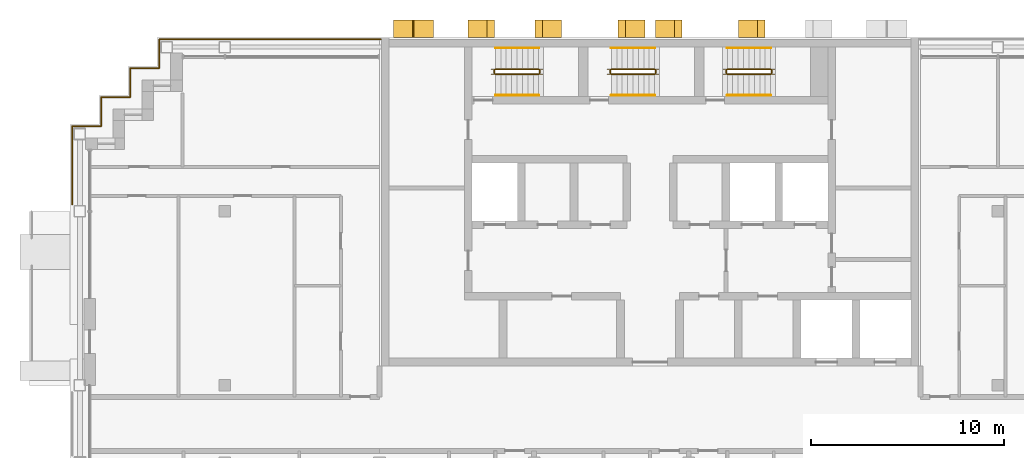
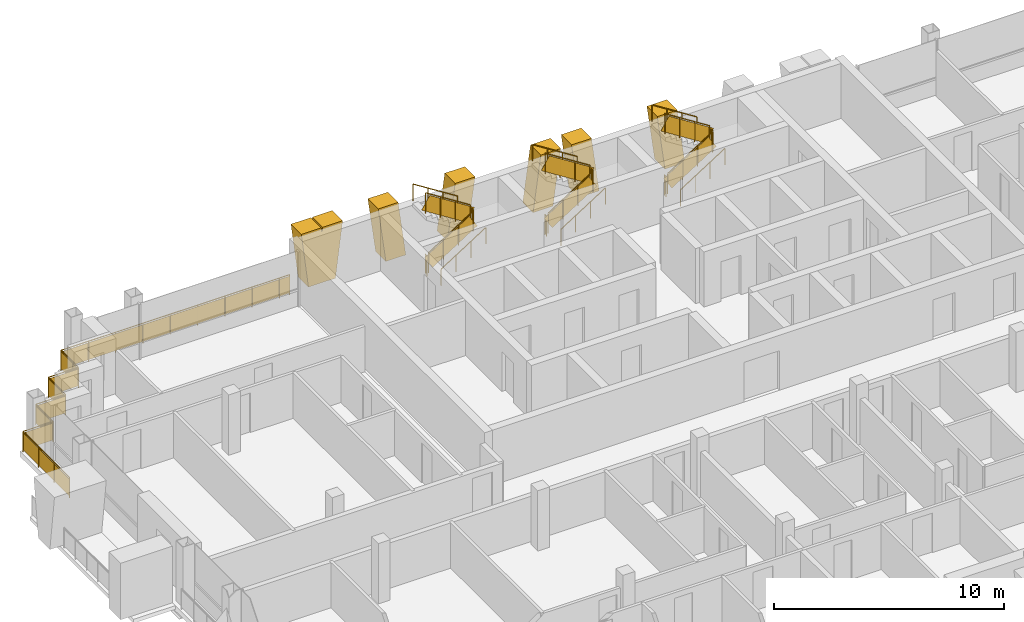
# One storey, part 15 of 16: 21 railings, 6 shading devices.
"""IFC4 building model written with IfcOpenShell, lengths in metres."""

from ifc_helpers import new_model, si_unit, direction, frame, origin, origin_2d, place, context, subcontext, project, spatial, polyline, rectangle, circle, outline, extrude, material, layer, layer_set, type_object, element, save


model = new_model("IFC4")

# Units and contexts
model_context = context("Model", 3, precision=1e-05, world=origin(), true_north=direction((0.0, 1.0)))
body_context = subcontext(model_context, "Body", "Model", "MODEL_VIEW")
ifc_project = project(units=[si_unit("LENGTHUNIT", "METRE"), si_unit("AREAUNIT", "SQUARE_METRE"), si_unit("VOLUMEUNIT", "CUBIC_METRE"), si_unit("PLANEANGLEUNIT", "RADIAN"), si_unit("MASSUNIT", "GRAM", prefix="KILO")], contexts=[model_context])

# Site, building, storey
site_placement = place(None, origin())
site = spatial("IfcSite", under=ifc_project, at=site_placement, CompositionType="ELEMENT")
building_placement = place(site_placement, origin())
building = spatial("IfcBuilding", under=site, at=building_placement, Name="Vidyagriha Tower", CompositionType="ELEMENT")
storey_placement = place(building_placement, frame((0.0, 0.0, 220.39990234375)))
storey = spatial("IfcBuildingStorey", under=building, at=storey_placement, Name="L57", CompositionType="ELEMENT", Elevation=220.39990234375)

# Shading devices
ifc_material_1 = material(Name="Precast concrete C40/50 with brick facing", Category="concrete")
ifc_layer_1 = layer(ifc_material_1, 1.0)
ifc_layer_set_1 = layer_set([ifc_layer_1], Name="Precast concrete C40/50 with brick facing")
shading_device_type_1 = type_object("IfcShadingDeviceType", Name="Brick-faced rear rib arm leaning 8 degrees", PredefinedType="USERDEFINED", material=ifc_layer_set_1)
for number, where, z_axis, x_axis, name in (
    (1, (5.95703125, 20.449951171875, 0.0), (0.0, 0.0, 1.0), (-1.0, 0.0, 0.0), "Rear rib arm L57 R08.2a"),
    (2, (1.656982421875, 20.449951171875, 0.0), (0.0, 0.0, 1.0), (-1.0, 0.0, 0.0), "Rear rib arm L57 R08.3a"),
):
    element("IfcShadingDevice", number, at=place(storey_placement, frame(where, z_axis=z_axis, x_axis=x_axis)), inside=storey, type_object=shading_device_type_1, Name=name, ObjectType="BLADE FIN", PredefinedType="USERDEFINED", context=body_context, shape_type="SweptSolid", body=[
        extrude(outline(polyline([(0.0, 0.0), (1.0, 0.0), (1.3857421875, 2.920166015625), (0.3857421875, 2.920166015625), (0.0, 0.0)])), frame((0.0, 0.449951171875, 0.0), z_axis=(0.0, -1.0, 0.0), x_axis=(1.0, 0.0, 0.0)), (0.0, 0.0, 1.0), 0.89990234375),
    ])
shading_device_1_placement = place(storey_placement, frame((-0.271484375, 20.449951171875, 0.0), z_axis=(0.0, 0.0, 1.0), x_axis=(-1.0, 0.0, 0.0)))
element("IfcShadingDevice", 3, at=shading_device_1_placement, inside=storey, type_object=shading_device_type_1, Name="Rear rib arm L57 R08.3b", ObjectType="BLADE FIN", PredefinedType="USERDEFINED", context=body_context, shape_type="SweptSolid", body=[
    extrude(outline(polyline([(0.3857421875, 0.0), (1.3857421875, 0.0), (1.0, 2.920166015625), (0.0, 2.920166015625), (0.3857421875, 0.0)])), frame((0.0, 0.449951171875, 0.0), z_axis=(0.0, -1.0, 0.0), x_axis=(1.0, 0.0, 0.0)), (0.0, 0.0, 1.0), 0.89990234375),
])
shading_device_2_placement = place(storey_placement, frame((-8.04296875, 20.449951171875, 0.0), z_axis=(0.0, 0.0, 1.0), x_axis=(-1.0, 0.0, 0.0)))
element("IfcShadingDevice", 4, at=shading_device_2_placement, inside=storey, type_object=shading_device_type_1, Name="Rear rib arm L57 R08.4a", ObjectType="BLADE FIN", PredefinedType="USERDEFINED", context=body_context, shape_type="SweptSolid", body=[
    extrude(outline(polyline([(0.0, 0.0), (1.0, 0.0), (1.3857421875, 2.920166015625), (0.3857421875, 2.920166015625), (0.0, 0.0)])), frame((0.0, 0.449951171875, 0.0), z_axis=(0.0, -1.0, 0.0), x_axis=(1.0, 0.0, 0.0)), (0.0, 0.0, 1.0), 0.89990234375),
])
shading_device_3_placement = place(storey_placement, frame((-4.5712890625, 20.449951171875, 0.0), z_axis=(0.0, 0.0, 1.0), x_axis=(-1.0, 0.0, 0.0)))
element("IfcShadingDevice", 5, at=shading_device_3_placement, inside=storey, type_object=shading_device_type_1, Name="Rear rib arm L57 R08.4b", ObjectType="BLADE FIN", PredefinedType="USERDEFINED", context=body_context, shape_type="SweptSolid", body=[
    extrude(outline(polyline([(0.3857421875, 0.0), (1.3857421875, 0.0), (1.0, 2.920166015625), (0.0, 2.920166015625), (0.3857421875, 0.0)])), frame((0.0, 0.449951171875, 0.0), z_axis=(0.0, -1.0, 0.0), x_axis=(1.0, 0.0, 0.0)), (0.0, 0.0, 1.0), 0.89990234375),
])
ifc_material_2 = material(Name="Precast concrete C40/50 with brick facing", Category="concrete")
ifc_layer_2 = layer(ifc_material_2, 1.0)
ifc_layer_set_2 = layer_set([ifc_layer_2], Name="Precast concrete C40/50 with brick facing")
shading_device_type_2 = type_object("IfcShadingDeviceType", Name="Brick-faced rear rib forking 8 degrees", PredefinedType="USERDEFINED", material=ifc_layer_set_2)
shading_device_4_placement = place(storey_placement, frame((-11.21435546875, 20.449951171875, 0.0), z_axis=(0.0, 0.0, 1.0), x_axis=(-1.0, 0.0, 0.0)))
element("IfcShadingDevice", 6, at=shading_device_4_placement, inside=storey, type_object=shading_device_type_2, Name="Rear rib fork L57 R08.5a", ObjectType="BLADE FIN", PredefinedType="USERDEFINED", context=body_context, shape_type="SweptSolid", body=[
    extrude(outline(polyline([(0.357177734375, 0.0), (1.71435546875, 0.0), (2.0712890625, 2.920166015625), (1.0712890625, 2.920166015625), (1.03564453125, 2.628173828125), (1.0, 2.920166015625), (0.0, 2.920166015625), (0.357177734375, 0.0)])), frame((0.0, 0.449951171875, 0.0), z_axis=(0.0, -1.0, 0.0), x_axis=(1.0, 0.0, 0.0)), (0.0, 0.0, 1.0), 0.89990234375),
])

# Railings
ifc_material_3 = material(Name="Steel ASTM A500 Grade C black painted", Category="steel")
railing_type_1 = type_object("IfcRailingType", Name="Gallery guard 1100", PredefinedType="GUARDRAIL", material=ifc_material_3)
railing_1_placement = place(storey_placement, frame((-29.89990234375, 11.360107421875, 0.0)))
element("IfcRailing", 7, at=railing_1_placement, inside=storey, type_object=railing_type_1, Name="Gallery guard L57 4", PredefinedType="GUARDRAIL", context=body_context, shape_type="SweptSolid", body=[
    extrude(circle(Radius=0.02490234375, at=origin_2d()), frame((0.0, 0.0, 1.0751953125), z_axis=(0.0, 1.0, 0.0), x_axis=(-1.0, 0.0, 0.0)), (0.0, 0.0, 1.0), 4.039794921875),
    extrude(circle(Radius=0.02490234375, at=origin_2d()), frame((0.0, 4.039794921875, 1.0751953125), z_axis=(1.0, 0.0, 0.0), x_axis=(0.0, 1.0, 0.0)), (0.0, 0.0, 1.0), 1.5),
    extrude(circle(Radius=0.02490234375, at=origin_2d()), frame((1.5, 4.039794921875, 1.0751953125), z_axis=(0.0, 1.0, 0.0), x_axis=(-1.0, 0.0, 0.0)), (0.0, 0.0, 1.0), 1.5),
    extrude(circle(Radius=0.02490234375, at=origin_2d()), frame((1.5, 5.539794921875, 1.0751953125), z_axis=(1.0, 0.0, 0.0), x_axis=(0.0, 1.0, 0.0)), (0.0, 0.0, 1.0), 1.5),
    extrude(circle(Radius=0.02490234375, at=origin_2d()), frame((3.0, 5.539794921875, 1.0751953125), z_axis=(0.0, 1.0, 0.0), x_axis=(-1.0, 0.0, 0.0)), (0.0, 0.0, 1.0), 1.5),
    extrude(circle(Radius=0.02490234375, at=origin_2d()), frame((3.0, 7.039794921875, 1.0751953125), z_axis=(1.0, 0.0, 0.0), x_axis=(0.0, 1.0, 0.0)), (0.0, 0.0, 1.0), 1.5),
    extrude(circle(Radius=0.02490234375, at=origin_2d()), frame((4.5, 7.039794921875, 1.0751953125), z_axis=(0.0, 1.0, 0.0), x_axis=(-1.0, 0.0, 0.0)), (0.0, 0.0, 1.0), 0.460205078125),
    extrude(circle(Radius=0.02001953125, at=origin_2d()), origin(), (0.0, 0.0, 1.0), 1.050048828125),
    extrude(circle(Radius=0.02001953125, at=origin_2d()), frame((0.0, 1.3466796875, 0.0)), (0.0, 0.0, 1.0), 1.050048828125),
    extrude(circle(Radius=0.02001953125, at=origin_2d()), frame((0.0, 2.693115234375, 0.0)), (0.0, 0.0, 1.0), 1.050048828125),
    extrude(circle(Radius=0.02001953125, at=origin_2d()), frame((0.0, 4.039794921875, 0.0)), (0.0, 0.0, 1.0), 1.050048828125),
    extrude(circle(Radius=0.02001953125, at=origin_2d()), frame((1.5, 4.039794921875, 0.0)), (0.0, 0.0, 1.0), 1.050048828125),
    extrude(circle(Radius=0.02001953125, at=origin_2d()), frame((1.5, 5.539794921875, 0.0)), (0.0, 0.0, 1.0), 1.050048828125),
    extrude(circle(Radius=0.02001953125, at=origin_2d()), frame((3.0, 5.539794921875, 0.0)), (0.0, 0.0, 1.0), 1.050048828125),
    extrude(circle(Radius=0.02001953125, at=origin_2d()), frame((3.0, 7.039794921875, 0.0)), (0.0, 0.0, 1.0), 1.050048828125),
    extrude(circle(Radius=0.02001953125, at=origin_2d()), frame((4.5, 7.039794921875, 0.0)), (0.0, 0.0, 1.0), 1.050048828125),
    extrude(circle(Radius=0.02001953125, at=origin_2d()), frame((4.5, 7.5, 0.0)), (0.0, 0.0, 1.0), 1.050048828125),
    extrude(rectangle(XDim=0.010009765625, YDim=0.900146484375, at=origin_2d()), frame((0.0, 0.0, 0.550048828125), z_axis=(0.0, 1.0, 0.0), x_axis=(-1.0, 0.0, 0.0)), (0.0, 0.0, 1.0), 4.039794921875),
    extrude(rectangle(XDim=0.010009765625, YDim=0.900146484375, at=origin_2d()), frame((0.0, 4.039794921875, 0.550048828125), z_axis=(1.0, 0.0, 0.0), x_axis=(0.0, 1.0, 0.0)), (0.0, 0.0, 1.0), 1.5),
    extrude(rectangle(XDim=0.010009765625, YDim=0.900146484375, at=origin_2d()), frame((1.5, 4.039794921875, 0.550048828125), z_axis=(0.0, 1.0, 0.0), x_axis=(-1.0, 0.0, 0.0)), (0.0, 0.0, 1.0), 1.5),
    extrude(rectangle(XDim=0.010009765625, YDim=0.900146484375, at=origin_2d()), frame((1.5, 5.539794921875, 0.550048828125), z_axis=(1.0, 0.0, 0.0), x_axis=(0.0, 1.0, 0.0)), (0.0, 0.0, 1.0), 1.5),
    extrude(rectangle(XDim=0.010009765625, YDim=0.900146484375, at=origin_2d()), frame((3.0, 5.539794921875, 0.550048828125), z_axis=(0.0, 1.0, 0.0), x_axis=(-1.0, 0.0, 0.0)), (0.0, 0.0, 1.0), 1.5),
    extrude(rectangle(XDim=0.010009765625, YDim=0.900146484375, at=origin_2d()), frame((3.0, 7.039794921875, 0.550048828125), z_axis=(1.0, 0.0, 0.0), x_axis=(0.0, 1.0, 0.0)), (0.0, 0.0, 1.0), 1.5),
    extrude(rectangle(XDim=0.010009765625, YDim=0.900146484375, at=origin_2d()), frame((4.5, 7.039794921875, 0.550048828125), z_axis=(0.0, 1.0, 0.0), x_axis=(-1.0, 0.0, 0.0)), (0.0, 0.0, 1.0), 0.460205078125),
])
railing_2_placement = place(storey_placement, frame((-25.39990234375, 18.860107421875, 0.0)))
element("IfcRailing", 8, at=railing_2_placement, inside=storey, type_object=railing_type_1, Name="Gallery guard L57 5", PredefinedType="GUARDRAIL", context=body_context, shape_type="SweptSolid", body=[
    extrude(circle(Radius=0.02490234375, at=origin_2d()), frame((0.0, 0.0, 1.0751953125), z_axis=(0.0, 1.0, 0.0), x_axis=(-1.0, 0.0, 0.0)), (0.0, 0.0, 1.0), 1.039794921875),
    extrude(circle(Radius=0.02490234375, at=origin_2d()), frame((0.0, 1.039794921875, 1.0751953125), z_axis=(1.0, 0.0, 0.0), x_axis=(0.0, 1.0, 0.0)), (0.0, 0.0, 1.0), 10.9599609375),
    extrude(circle(Radius=0.02001953125, at=origin_2d()), origin(), (0.0, 0.0, 1.0), 1.050048828125),
    extrude(circle(Radius=0.02001953125, at=origin_2d()), frame((0.0, 1.039794921875, 0.0)), (0.0, 0.0, 1.0), 1.050048828125),
    extrude(circle(Radius=0.02001953125, at=origin_2d()), frame((1.3701171875, 1.039794921875, 0.0)), (0.0, 0.0, 1.0), 1.050048828125),
    extrude(circle(Radius=0.02001953125, at=origin_2d()), frame((2.739990234375, 1.039794921875, 0.0)), (0.0, 0.0, 1.0), 1.050048828125),
    extrude(circle(Radius=0.02001953125, at=origin_2d()), frame((4.10986328125, 1.039794921875, 0.0)), (0.0, 0.0, 1.0), 1.050048828125),
    extrude(circle(Radius=0.02001953125, at=origin_2d()), frame((5.47998046875, 1.039794921875, 0.0)), (0.0, 0.0, 1.0), 1.050048828125),
    extrude(circle(Radius=0.02001953125, at=origin_2d()), frame((6.85009765625, 1.039794921875, 0.0)), (0.0, 0.0, 1.0), 1.050048828125),
    extrude(circle(Radius=0.02001953125, at=origin_2d()), frame((8.219970703125, 1.039794921875, 0.0)), (0.0, 0.0, 1.0), 1.050048828125),
    extrude(circle(Radius=0.02001953125, at=origin_2d()), frame((9.58984375, 1.039794921875, 0.0)), (0.0, 0.0, 1.0), 1.050048828125),
    extrude(circle(Radius=0.02001953125, at=origin_2d()), frame((10.9599609375, 1.039794921875, 0.0)), (0.0, 0.0, 1.0), 1.050048828125),
    extrude(rectangle(XDim=0.010009765625, YDim=0.900146484375, at=origin_2d()), frame((0.0, 0.0, 0.550048828125), z_axis=(0.0, 1.0, 0.0), x_axis=(-1.0, 0.0, 0.0)), (0.0, 0.0, 1.0), 1.039794921875),
    extrude(rectangle(XDim=0.010009765625, YDim=0.900146484375, at=origin_2d()), frame((0.0, 1.039794921875, 0.550048828125), z_axis=(1.0, 0.0, 0.0), x_axis=(0.0, 1.0, 0.0)), (0.0, 0.0, 1.0), 10.9599609375),
])
railing_3_placement = place(storey_placement, frame((-14.43994140625, 19.89990234375, 0.0)))
element("IfcRailing", 9, at=railing_3_placement, inside=storey, type_object=railing_type_1, Name="Gallery guard L57 6", PredefinedType="GUARDRAIL", context=body_context, shape_type="SweptSolid", body=[
    extrude(circle(Radius=0.02490234375, at=origin_2d()), frame((0.0, 0.0, 1.0751953125), z_axis=(1.0, 0.0, 0.0), x_axis=(0.0, 1.0, 0.0)), (0.0, 0.0, 1.0), 0.510009765625),
    extrude(circle(Radius=0.02001953125, at=origin_2d()), origin(), (0.0, 0.0, 1.0), 1.050048828125),
    extrude(circle(Radius=0.02001953125, at=origin_2d()), frame((0.510009765625, 0.0, 0.0)), (0.0, 0.0, 1.0), 1.050048828125),
    extrude(rectangle(XDim=0.010009765625, YDim=0.900146484375, at=origin_2d()), frame((0.0, 0.0, 0.550048828125), z_axis=(1.0, 0.0, 0.0), x_axis=(0.0, 1.0, 0.0)), (0.0, 0.0, 1.0), 0.510009765625),
])
ifc_material_4 = material(Name="Steel ASTM A500 Grade C", Category="steel")
railing_type_2 = type_object("IfcRailingType", Name="Stair guard 1100 mm, steel balustrade", PredefinedType="GUARDRAIL", material=ifc_material_4)
railing_4_placement = place(storey_placement, frame((-8.0, 18.10009765625, 0.177978515625)))
element("IfcRailing", 10, at=railing_4_placement, inside=storey, type_object=railing_type_2, Name="L57 ST1 stair guard 1", PredefinedType="GUARDRAIL", context=body_context, shape_type="SweptSolid", body=[
    extrude(circle(Radius=0.02392578125, at=origin_2d()), frame((0.0, 0.0, 1.076171875), z_axis=(0.8442293374, 0.0, 0.53598211339), x_axis=(0.0, 1.0, 0.0)), (0.0, 0.0, 1.0), 2.6533203125),
    extrude(circle(Radius=0.02099609375, at=origin_2d()), origin(), (0.0, 0.0, 1.0), 1.052001953125),
    extrude(circle(Radius=0.02099609375, at=origin_2d()), frame((0.74658203125, 0.0, 0.47412109375)), (0.0, 0.0, 1.0), 1.052001953125),
    extrude(circle(Radius=0.02099609375, at=origin_2d()), frame((1.493408203125, 0.0, 0.947998046875)), (0.0, 0.0, 1.0), 1.052001953125),
    extrude(circle(Radius=0.02099609375, at=origin_2d()), frame((2.239990234375, 0.0, 1.422119140625)), (0.0, 0.0, 1.0), 1.052001953125),
    extrude(rectangle(XDim=0.010009765625, YDim=0.761474609375, at=origin_2d()), frame((0.0, 0.0, 0.551025390625), z_axis=(0.8442293374, 0.0, 0.53598211339), x_axis=(0.0, 1.0, 0.0)), (0.0, 0.0, 1.0), 2.6533203125),
])
railing_5_placement = place(storey_placement, frame((-5.7099609375, 18.14990234375, 1.60009765625)))
element("IfcRailing", 11, at=railing_5_placement, inside=storey, type_object=railing_type_2, Name="L57 ST1 stair guard 2", PredefinedType="GUARDRAIL", context=body_context, shape_type="SweptSolid", body=[
    extrude(circle(Radius=0.02392578125, at=origin_2d()), frame((0.0, 0.0, 1.076171875), z_axis=(0.0, 1.0, 0.0), x_axis=(-1.0, 0.0, 0.0)), (0.0, 0.0, 1.0), 0.150146484375),
    extrude(circle(Radius=0.02099609375, at=origin_2d()), origin(), (0.0, 0.0, 1.0), 1.052001953125),
    extrude(circle(Radius=0.02099609375, at=origin_2d()), frame((0.0, 0.150146484375, 0.0)), (0.0, 0.0, 1.0), 1.052001953125),
    extrude(rectangle(XDim=0.010009765625, YDim=0.902099609375, at=origin_2d()), frame((0.0, 0.0, 0.551025390625), z_axis=(0.0, 1.0, 0.0), x_axis=(-1.0, 0.0, 0.0)), (0.0, 0.0, 1.0), 0.150146484375),
])
railing_6_placement = place(storey_placement, frame((-5.760009765625, 18.35009765625, 1.77783203125)))
element("IfcRailing", 12, at=railing_6_placement, inside=storey, type_object=railing_type_2, Name="L57 ST1 stair guard 3", PredefinedType="GUARDRAIL", context=body_context, shape_type="SweptSolid", body=[
    extrude(circle(Radius=0.02392578125, at=origin_2d()), frame((0.0, 0.0, 1.076171875), z_axis=(-0.84418770128, 0.0, 0.536047689118), x_axis=(0.0, -1.0, 0.0)), (0.0, 0.0, 1.0), 2.6533203125),
    extrude(circle(Radius=0.02099609375, at=origin_2d()), origin(), (0.0, 0.0, 1.0), 1.052001953125),
    extrude(circle(Radius=0.02099609375, at=origin_2d()), frame((-0.74658203125, 0.0, 0.47412109375)), (0.0, 0.0, 1.0), 1.052001953125),
    extrude(circle(Radius=0.02099609375, at=origin_2d()), frame((-1.493408203125, 0.0, 0.9482421875)), (0.0, 0.0, 1.0), 1.052001953125),
    extrude(circle(Radius=0.02099609375, at=origin_2d()), frame((-2.239990234375, 0.0, 1.42236328125)), (0.0, 0.0, 1.0), 1.052001953125),
    extrude(rectangle(XDim=0.010009765625, YDim=0.761474609375, at=origin_2d()), frame((0.0, 0.0, 0.551025390625), z_axis=(-0.84418770128, 0.0, 0.536047689118), x_axis=(0.0, -1.0, 0.0)), (0.0, 0.0, 1.0), 2.6533203125),
])
railing_7_placement = place(storey_placement, frame((-8.050048828125, 18.14990234375, 0.0)))
element("IfcRailing", 13, at=railing_7_placement, inside=storey, type_object=railing_type_2, Name="L57 ST1 stair guard 4", PredefinedType="GUARDRAIL", context=body_context, shape_type="SweptSolid", body=[
    extrude(circle(Radius=0.02392578125, at=origin_2d()), frame((0.0, 0.0, 1.076171875), z_axis=(0.0, 1.0, 0.0), x_axis=(-1.0, 0.0, 0.0)), (0.0, 0.0, 1.0), 0.150146484375),
    extrude(circle(Radius=0.02099609375, at=origin_2d()), origin(), (0.0, 0.0, 1.0), 1.052001953125),
    extrude(circle(Radius=0.02099609375, at=origin_2d()), frame((0.0, 0.150146484375, 0.0)), (0.0, 0.0, 1.0), 1.052001953125),
    extrude(rectangle(XDim=0.010009765625, YDim=0.902099609375, at=origin_2d()), frame((0.0, 0.0, 0.551025390625), z_axis=(0.0, 1.0, 0.0), x_axis=(-1.0, 0.0, 0.0)), (0.0, 0.0, 1.0), 0.150146484375),
])
railing_8_placement = place(storey_placement, frame((-2.0, 18.10009765625, 0.177978515625)))
element("IfcRailing", 14, at=railing_8_placement, inside=storey, type_object=railing_type_2, Name="L57 ST2 stair guard 1", PredefinedType="GUARDRAIL", context=body_context, shape_type="SweptSolid", body=[
    extrude(circle(Radius=0.02392578125, at=origin_2d()), frame((0.0, 0.0, 1.076171875), z_axis=(0.8442293374, 0.0, 0.53598211339), x_axis=(0.0, 1.0, 0.0)), (0.0, 0.0, 1.0), 2.6533203125),
    extrude(circle(Radius=0.02099609375, at=origin_2d()), origin(), (0.0, 0.0, 1.0), 1.052001953125),
    extrude(circle(Radius=0.02099609375, at=origin_2d()), frame((0.74658203125, 0.0, 0.47412109375)), (0.0, 0.0, 1.0), 1.052001953125),
    extrude(circle(Radius=0.02099609375, at=origin_2d()), frame((1.493408203125, 0.0, 0.947998046875)), (0.0, 0.0, 1.0), 1.052001953125),
    extrude(circle(Radius=0.02099609375, at=origin_2d()), frame((2.239990234375, 0.0, 1.422119140625)), (0.0, 0.0, 1.0), 1.052001953125),
    extrude(rectangle(XDim=0.010009765625, YDim=0.761474609375, at=origin_2d()), frame((0.0, 0.0, 0.551025390625), z_axis=(0.8442293374, 0.0, 0.53598211339), x_axis=(0.0, 1.0, 0.0)), (0.0, 0.0, 1.0), 2.6533203125),
])
railing_9_placement = place(storey_placement, frame((0.2900390625, 18.14990234375, 1.60009765625)))
element("IfcRailing", 15, at=railing_9_placement, inside=storey, type_object=railing_type_2, Name="L57 ST2 stair guard 2", PredefinedType="GUARDRAIL", context=body_context, shape_type="SweptSolid", body=[
    extrude(circle(Radius=0.02392578125, at=origin_2d()), frame((0.0, 0.0, 1.076171875), z_axis=(0.0, 1.0, 0.0), x_axis=(-1.0, 0.0, 0.0)), (0.0, 0.0, 1.0), 0.150146484375),
    extrude(circle(Radius=0.02099609375, at=origin_2d()), origin(), (0.0, 0.0, 1.0), 1.052001953125),
    extrude(circle(Radius=0.02099609375, at=origin_2d()), frame((0.0, 0.150146484375, 0.0)), (0.0, 0.0, 1.0), 1.052001953125),
    extrude(rectangle(XDim=0.010009765625, YDim=0.902099609375, at=origin_2d()), frame((0.0, 0.0, 0.551025390625), z_axis=(0.0, 1.0, 0.0), x_axis=(-1.0, 0.0, 0.0)), (0.0, 0.0, 1.0), 0.150146484375),
])
railing_10_placement = place(storey_placement, frame((0.239990234375, 18.35009765625, 1.77783203125)))
element("IfcRailing", 16, at=railing_10_placement, inside=storey, type_object=railing_type_2, Name="L57 ST2 stair guard 3", PredefinedType="GUARDRAIL", context=body_context, shape_type="SweptSolid", body=[
    extrude(circle(Radius=0.02392578125, at=origin_2d()), frame((0.0, 0.0, 1.076171875), z_axis=(-0.84418770128, 0.0, 0.536047689118), x_axis=(0.0, -1.0, 0.0)), (0.0, 0.0, 1.0), 2.6533203125),
    extrude(circle(Radius=0.02099609375, at=origin_2d()), origin(), (0.0, 0.0, 1.0), 1.052001953125),
    extrude(circle(Radius=0.02099609375, at=origin_2d()), frame((-0.74658203125, 0.0, 0.47412109375)), (0.0, 0.0, 1.0), 1.052001953125),
    extrude(circle(Radius=0.02099609375, at=origin_2d()), frame((-1.493408203125, 0.0, 0.9482421875)), (0.0, 0.0, 1.0), 1.052001953125),
    extrude(circle(Radius=0.02099609375, at=origin_2d()), frame((-2.239990234375, 0.0, 1.42236328125)), (0.0, 0.0, 1.0), 1.052001953125),
    extrude(rectangle(XDim=0.010009765625, YDim=0.761474609375, at=origin_2d()), frame((0.0, 0.0, 0.551025390625), z_axis=(-0.84418770128, 0.0, 0.536047689118), x_axis=(0.0, -1.0, 0.0)), (0.0, 0.0, 1.0), 2.6533203125),
])
railing_11_placement = place(storey_placement, frame((-2.050048828125, 18.14990234375, 0.0)))
element("IfcRailing", 17, at=railing_11_placement, inside=storey, type_object=railing_type_2, Name="L57 ST2 stair guard 4", PredefinedType="GUARDRAIL", context=body_context, shape_type="SweptSolid", body=[
    extrude(circle(Radius=0.02392578125, at=origin_2d()), frame((0.0, 0.0, 1.076171875), z_axis=(0.0, 1.0, 0.0), x_axis=(-1.0, 0.0, 0.0)), (0.0, 0.0, 1.0), 0.150146484375),
    extrude(circle(Radius=0.02099609375, at=origin_2d()), origin(), (0.0, 0.0, 1.0), 1.052001953125),
    extrude(circle(Radius=0.02099609375, at=origin_2d()), frame((0.0, 0.150146484375, 0.0)), (0.0, 0.0, 1.0), 1.052001953125),
    extrude(rectangle(XDim=0.010009765625, YDim=0.902099609375, at=origin_2d()), frame((0.0, 0.0, 0.551025390625), z_axis=(0.0, 1.0, 0.0), x_axis=(-1.0, 0.0, 0.0)), (0.0, 0.0, 1.0), 0.150146484375),
])
railing_12_placement = place(storey_placement, frame((4.0, 18.10009765625, 0.177978515625)))
element("IfcRailing", 18, at=railing_12_placement, inside=storey, type_object=railing_type_2, Name="L57 ST3 stair guard 1", PredefinedType="GUARDRAIL", context=body_context, shape_type="SweptSolid", body=[
    extrude(circle(Radius=0.02392578125, at=origin_2d()), frame((0.0, 0.0, 1.076171875), z_axis=(0.8442293374, 0.0, 0.53598211339), x_axis=(0.0, 1.0, 0.0)), (0.0, 0.0, 1.0), 2.6533203125),
    extrude(circle(Radius=0.02099609375, at=origin_2d()), origin(), (0.0, 0.0, 1.0), 1.052001953125),
    extrude(circle(Radius=0.02099609375, at=origin_2d()), frame((0.74658203125, 0.0, 0.47412109375)), (0.0, 0.0, 1.0), 1.052001953125),
    extrude(circle(Radius=0.02099609375, at=origin_2d()), frame((1.493408203125, 0.0, 0.947998046875)), (0.0, 0.0, 1.0), 1.052001953125),
    extrude(circle(Radius=0.02099609375, at=origin_2d()), frame((2.239990234375, 0.0, 1.422119140625)), (0.0, 0.0, 1.0), 1.052001953125),
    extrude(rectangle(XDim=0.010009765625, YDim=0.761474609375, at=origin_2d()), frame((0.0, 0.0, 0.551025390625), z_axis=(0.8442293374, 0.0, 0.53598211339), x_axis=(0.0, 1.0, 0.0)), (0.0, 0.0, 1.0), 2.6533203125),
])
railing_13_placement = place(storey_placement, frame((6.2900390625, 18.14990234375, 1.60009765625)))
element("IfcRailing", 19, at=railing_13_placement, inside=storey, type_object=railing_type_2, Name="L57 ST3 stair guard 2", PredefinedType="GUARDRAIL", context=body_context, shape_type="SweptSolid", body=[
    extrude(circle(Radius=0.02392578125, at=origin_2d()), frame((0.0, 0.0, 1.076171875), z_axis=(0.0, 1.0, 0.0), x_axis=(-1.0, 0.0, 0.0)), (0.0, 0.0, 1.0), 0.150146484375),
    extrude(circle(Radius=0.02099609375, at=origin_2d()), origin(), (0.0, 0.0, 1.0), 1.052001953125),
    extrude(circle(Radius=0.02099609375, at=origin_2d()), frame((0.0, 0.150146484375, 0.0)), (0.0, 0.0, 1.0), 1.052001953125),
    extrude(rectangle(XDim=0.010009765625, YDim=0.902099609375, at=origin_2d()), frame((0.0, 0.0, 0.551025390625), z_axis=(0.0, 1.0, 0.0), x_axis=(-1.0, 0.0, 0.0)), (0.0, 0.0, 1.0), 0.150146484375),
])
railing_14_placement = place(storey_placement, frame((6.239990234375, 18.35009765625, 1.77783203125)))
element("IfcRailing", 20, at=railing_14_placement, inside=storey, type_object=railing_type_2, Name="L57 ST3 stair guard 3", PredefinedType="GUARDRAIL", context=body_context, shape_type="SweptSolid", body=[
    extrude(circle(Radius=0.02392578125, at=origin_2d()), frame((0.0, 0.0, 1.076171875), z_axis=(-0.84418770128, 0.0, 0.536047689118), x_axis=(0.0, -1.0, 0.0)), (0.0, 0.0, 1.0), 2.6533203125),
    extrude(circle(Radius=0.02099609375, at=origin_2d()), origin(), (0.0, 0.0, 1.0), 1.052001953125),
    extrude(circle(Radius=0.02099609375, at=origin_2d()), frame((-0.74658203125, 0.0, 0.47412109375)), (0.0, 0.0, 1.0), 1.052001953125),
    extrude(circle(Radius=0.02099609375, at=origin_2d()), frame((-1.493408203125, 0.0, 0.9482421875)), (0.0, 0.0, 1.0), 1.052001953125),
    extrude(circle(Radius=0.02099609375, at=origin_2d()), frame((-2.239990234375, 0.0, 1.42236328125)), (0.0, 0.0, 1.0), 1.052001953125),
    extrude(rectangle(XDim=0.010009765625, YDim=0.761474609375, at=origin_2d()), frame((0.0, 0.0, 0.551025390625), z_axis=(-0.84418770128, 0.0, 0.536047689118), x_axis=(0.0, -1.0, 0.0)), (0.0, 0.0, 1.0), 2.6533203125),
])
railing_15_placement = place(storey_placement, frame((3.949951171875, 18.14990234375, 0.0)))
element("IfcRailing", 21, at=railing_15_placement, inside=storey, type_object=railing_type_2, Name="L57 ST3 stair guard 4", PredefinedType="GUARDRAIL", context=body_context, shape_type="SweptSolid", body=[
    extrude(circle(Radius=0.02392578125, at=origin_2d()), frame((0.0, 0.0, 1.076171875), z_axis=(0.0, 1.0, 0.0), x_axis=(-1.0, 0.0, 0.0)), (0.0, 0.0, 1.0), 0.150146484375),
    extrude(circle(Radius=0.02099609375, at=origin_2d()), origin(), (0.0, 0.0, 1.0), 1.052001953125),
    extrude(circle(Radius=0.02099609375, at=origin_2d()), frame((0.0, 0.150146484375, 0.0)), (0.0, 0.0, 1.0), 1.052001953125),
    extrude(rectangle(XDim=0.010009765625, YDim=0.902099609375, at=origin_2d()), frame((0.0, 0.0, 0.551025390625), z_axis=(0.0, 1.0, 0.0), x_axis=(-1.0, 0.0, 0.0)), (0.0, 0.0, 1.0), 0.150146484375),
])
ifc_material_5 = material(Name="Steel ASTM A500 Grade C", Category="steel")
railing_type_3 = type_object("IfcRailingType", Name="Stair handrail 900 mm, steel", PredefinedType="HANDRAIL", material=ifc_material_5)
railing_16_placement = place(storey_placement, frame((-8.0, 17.0, 0.177978515625)))
element("IfcRailing", 22, at=railing_16_placement, inside=storey, type_object=railing_type_3, Name="L57 ST1 stair handrail 1", PredefinedType="HANDRAIL", context=body_context, shape_type="SweptSolid", body=[
    extrude(circle(Radius=0.02392578125, at=origin_2d()), frame((0.0, 0.0, 0.8759765625), z_axis=(0.8442293374, 0.0, 0.53598211339), x_axis=(0.0, 1.0, 0.0)), (0.0, 0.0, 1.0), 2.6533203125),
    extrude(circle(Radius=0.02099609375, at=origin_2d()), origin(), (0.0, 0.0, 1.0), 0.851806640625),
    extrude(circle(Radius=0.02099609375, at=origin_2d()), frame((0.74658203125, 0.0, 0.47412109375)), (0.0, 0.0, 1.0), 0.851806640625),
    extrude(circle(Radius=0.02099609375, at=origin_2d()), frame((1.493408203125, 0.0, 0.947998046875)), (0.0, 0.0, 1.0), 0.851806640625),
    extrude(circle(Radius=0.02099609375, at=origin_2d()), frame((2.239990234375, 0.0, 1.422119140625)), (0.0, 0.0, 1.0), 0.851806640625),
])
railing_17_placement = place(storey_placement, frame((-5.760009765625, 19.449951171875, 1.77783203125)))
element("IfcRailing", 23, at=railing_17_placement, inside=storey, type_object=railing_type_3, Name="L57 ST1 stair handrail 2", PredefinedType="HANDRAIL", context=body_context, shape_type="SweptSolid", body=[
    extrude(circle(Radius=0.02392578125, at=origin_2d()), frame((0.0, 0.0, 0.8759765625), z_axis=(-0.84418770128, 0.0, 0.536047689118), x_axis=(0.0, -1.0, 0.0)), (0.0, 0.0, 1.0), 2.6533203125),
    extrude(circle(Radius=0.02099609375, at=origin_2d()), origin(), (0.0, 0.0, 1.0), 0.851806640625),
    extrude(circle(Radius=0.02099609375, at=origin_2d()), frame((-0.74658203125, 0.0, 0.47412109375)), (0.0, 0.0, 1.0), 0.851806640625),
    extrude(circle(Radius=0.02099609375, at=origin_2d()), frame((-1.493408203125, 0.0, 0.9482421875)), (0.0, 0.0, 1.0), 0.851806640625),
    extrude(circle(Radius=0.02099609375, at=origin_2d()), frame((-2.239990234375, 0.0, 1.42236328125)), (0.0, 0.0, 1.0), 0.851806640625),
])
railing_18_placement = place(storey_placement, frame((-2.0, 17.0, 0.177978515625)))
element("IfcRailing", 24, at=railing_18_placement, inside=storey, type_object=railing_type_3, Name="L57 ST2 stair handrail 1", PredefinedType="HANDRAIL", context=body_context, shape_type="SweptSolid", body=[
    extrude(circle(Radius=0.02392578125, at=origin_2d()), frame((0.0, 0.0, 0.8759765625), z_axis=(0.8442293374, 0.0, 0.53598211339), x_axis=(0.0, 1.0, 0.0)), (0.0, 0.0, 1.0), 2.6533203125),
    extrude(circle(Radius=0.02099609375, at=origin_2d()), origin(), (0.0, 0.0, 1.0), 0.851806640625),
    extrude(circle(Radius=0.02099609375, at=origin_2d()), frame((0.74658203125, 0.0, 0.47412109375)), (0.0, 0.0, 1.0), 0.851806640625),
    extrude(circle(Radius=0.02099609375, at=origin_2d()), frame((1.493408203125, 0.0, 0.947998046875)), (0.0, 0.0, 1.0), 0.851806640625),
    extrude(circle(Radius=0.02099609375, at=origin_2d()), frame((2.239990234375, 0.0, 1.422119140625)), (0.0, 0.0, 1.0), 0.851806640625),
])
railing_19_placement = place(storey_placement, frame((0.239990234375, 19.449951171875, 1.77783203125)))
element("IfcRailing", 25, at=railing_19_placement, inside=storey, type_object=railing_type_3, Name="L57 ST2 stair handrail 2", PredefinedType="HANDRAIL", context=body_context, shape_type="SweptSolid", body=[
    extrude(circle(Radius=0.02392578125, at=origin_2d()), frame((0.0, 0.0, 0.8759765625), z_axis=(-0.84418770128, 0.0, 0.536047689118), x_axis=(0.0, -1.0, 0.0)), (0.0, 0.0, 1.0), 2.6533203125),
    extrude(circle(Radius=0.02099609375, at=origin_2d()), origin(), (0.0, 0.0, 1.0), 0.851806640625),
    extrude(circle(Radius=0.02099609375, at=origin_2d()), frame((-0.74658203125, 0.0, 0.47412109375)), (0.0, 0.0, 1.0), 0.851806640625),
    extrude(circle(Radius=0.02099609375, at=origin_2d()), frame((-1.493408203125, 0.0, 0.9482421875)), (0.0, 0.0, 1.0), 0.851806640625),
    extrude(circle(Radius=0.02099609375, at=origin_2d()), frame((-2.239990234375, 0.0, 1.42236328125)), (0.0, 0.0, 1.0), 0.851806640625),
])
railing_20_placement = place(storey_placement, frame((4.0, 17.0, 0.177978515625)))
element("IfcRailing", 26, at=railing_20_placement, inside=storey, type_object=railing_type_3, Name="L57 ST3 stair handrail 1", PredefinedType="HANDRAIL", context=body_context, shape_type="SweptSolid", body=[
    extrude(circle(Radius=0.02392578125, at=origin_2d()), frame((0.0, 0.0, 0.8759765625), z_axis=(0.8442293374, 0.0, 0.53598211339), x_axis=(0.0, 1.0, 0.0)), (0.0, 0.0, 1.0), 2.6533203125),
    extrude(circle(Radius=0.02099609375, at=origin_2d()), origin(), (0.0, 0.0, 1.0), 0.851806640625),
    extrude(circle(Radius=0.02099609375, at=origin_2d()), frame((0.74658203125, 0.0, 0.47412109375)), (0.0, 0.0, 1.0), 0.851806640625),
    extrude(circle(Radius=0.02099609375, at=origin_2d()), frame((1.493408203125, 0.0, 0.947998046875)), (0.0, 0.0, 1.0), 0.851806640625),
    extrude(circle(Radius=0.02099609375, at=origin_2d()), frame((2.239990234375, 0.0, 1.422119140625)), (0.0, 0.0, 1.0), 0.851806640625),
])
railing_21_placement = place(storey_placement, frame((6.239990234375, 19.449951171875, 1.77783203125)))
element("IfcRailing", 27, at=railing_21_placement, inside=storey, type_object=railing_type_3, Name="L57 ST3 stair handrail 2", PredefinedType="HANDRAIL", context=body_context, shape_type="SweptSolid", body=[
    extrude(circle(Radius=0.02392578125, at=origin_2d()), frame((0.0, 0.0, 0.8759765625), z_axis=(-0.84418770128, 0.0, 0.536047689118), x_axis=(0.0, -1.0, 0.0)), (0.0, 0.0, 1.0), 2.6533203125),
    extrude(circle(Radius=0.02099609375, at=origin_2d()), origin(), (0.0, 0.0, 1.0), 0.851806640625),
    extrude(circle(Radius=0.02099609375, at=origin_2d()), frame((-0.74658203125, 0.0, 0.47412109375)), (0.0, 0.0, 1.0), 0.851806640625),
    extrude(circle(Radius=0.02099609375, at=origin_2d()), frame((-1.493408203125, 0.0, 0.9482421875)), (0.0, 0.0, 1.0), 0.851806640625),
    extrude(circle(Radius=0.02099609375, at=origin_2d()), frame((-2.239990234375, 0.0, 1.42236328125)), (0.0, 0.0, 1.0), 0.851806640625),
])

save(model, "model.ifc")
